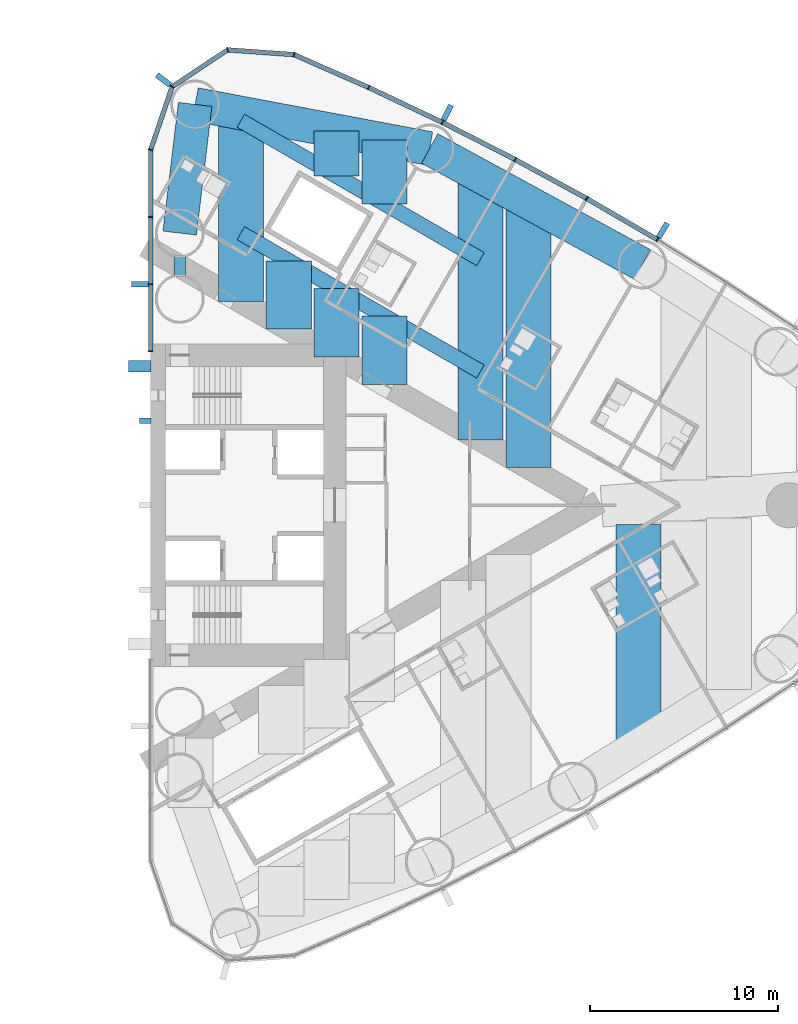
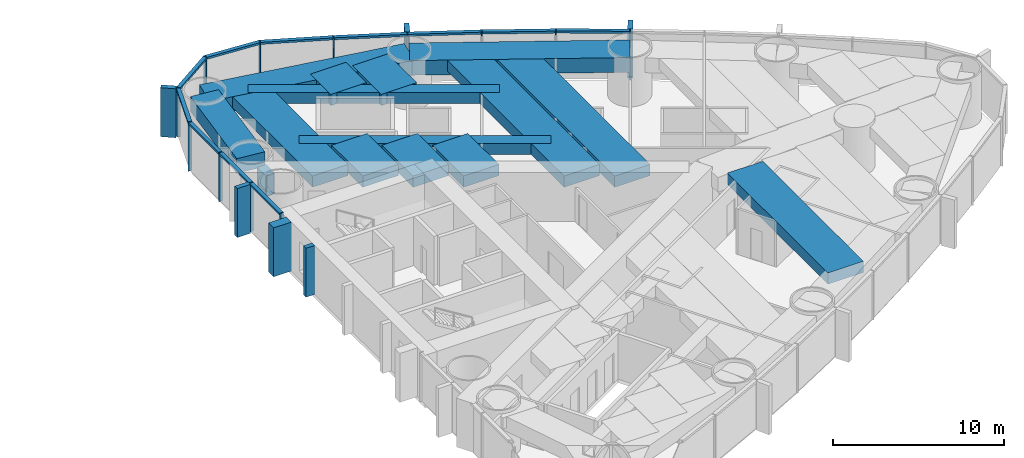
# One storey, part 7 of 19: 29 members, 15 beams, 1 element without a shape of its own.
"""IFC4 building model written with IfcOpenShell, lengths in metres."""

from ifc_helpers import new_model, si_unit, direction, frame, origin, origin_2d, place, context, subcontext, project, spatial, rectangle, hollow_rectangle, extrude, material, material_profile, profile_set, type_object, element, aggregate, save


model = new_model("IFC4")

# Units and contexts
model_context = context("Model", 3, precision=1e-05, world=origin(), true_north=direction((0.0, 1.0)))
body_context = subcontext(model_context, "Body", "Model", "MODEL_VIEW")
ifc_project = project(units=[si_unit("LENGTHUNIT", "METRE"), si_unit("AREAUNIT", "SQUARE_METRE"), si_unit("VOLUMEUNIT", "CUBIC_METRE"), si_unit("PLANEANGLEUNIT", "RADIAN"), si_unit("MASSUNIT", "GRAM", prefix="KILO")], contexts=[model_context])

# Site, building, storey
site_placement = place(None, origin())
site = spatial("IfcSite", under=ifc_project, at=site_placement, CompositionType="ELEMENT")
building_placement = place(site_placement, origin())
building = spatial("IfcBuilding", under=site, at=building_placement, Name="Lancet Gate Hotel", CompositionType="ELEMENT")
storey_placement = place(building_placement, frame((0.0, 0.0, 111.60009765625)))
storey = spatial("IfcBuildingStorey", under=building, at=storey_placement, Name="L29", CompositionType="ELEMENT", Elevation=111.60009765625)

# Curtain wall, members
ifc_material_1 = material(Name="Aluminium curtain wall", Category="aluminium")
curtain_wall_type = type_object("IfcCurtainWallType", Name="Tower unitised curtain wall", PredefinedType="USERDEFINED", material=ifc_material_1)
curtain_wall_placement = place(storey_placement, origin())
curtain_wall = element("IfcCurtainWall", 1, at=curtain_wall_placement, inside=storey, type_object=curtain_wall_type, Name="T2 L29 curtain wall 1", ObjectType="UNITISED CURTAIN WALL", PredefinedType="USERDEFINED")
ifc_material_2 = material(Name="Aluminium mullion", Category="aluminium")
ifc_material_profile_1 = material_profile(ifc_material_2, rectangle(XDim=0.06494140625, YDim=0.25, at=origin_2d()), Name="MULLION 65x250")
ifc_profile_set_1 = profile_set([ifc_material_profile_1], Name="Aluminium mullion")
member_type_1 = type_object("IfcMemberType", Name="Aluminium mullion 65x250", PredefinedType="MULLION", material=ifc_profile_set_1)
member_1_placement = place(storey_placement, frame((54.496337890625, 14.1552734375, 0.0), z_axis=(0.0, 0.0, 1.0), x_axis=(-0.856728030701, 0.515768437781, 0.0)))
member_1 = element("IfcMember", 2, at=member_1_placement, type_object=member_type_1, Name="T2 L29 curtain wall 1 mullion 23", PredefinedType="MULLION", context=body_context, shape_type="SweptSolid", body=[
    extrude(rectangle(XDim=0.06494140625, YDim=0.25, at=origin_2d()), origin(), (0.0, 0.0, 1.0), 3.5),
])
member_2_placement = place(storey_placement, frame((50.740478515625, 16.344482421875, 0.0), z_axis=(0.0, 0.0, 1.0), x_axis=(-0.871028838445, 0.491231882716, 0.0)))
member_2 = element("IfcMember", 3, at=member_2_placement, type_object=member_type_1, Name="T2 L29 curtain wall 1 mullion 24", PredefinedType="MULLION", context=body_context, shape_type="SweptSolid", body=[
    extrude(rectangle(XDim=0.06494140625, YDim=0.25, at=origin_2d()), origin(), (0.0, 0.0, 1.0), 3.5),
])
member_3_placement = place(storey_placement, frame((46.923828125, 18.426025390625, 0.0), z_axis=(0.0, 0.0, 1.0), x_axis=(-0.884627112962, 0.466299121822, 0.0)))
member_3 = element("IfcMember", 4, at=member_3_placement, type_object=member_type_1, Name="T2 L29 curtain wall 1 mullion 25", PredefinedType="MULLION", context=body_context, shape_type="SweptSolid", body=[
    extrude(rectangle(XDim=0.06494140625, YDim=0.25, at=origin_2d()), origin(), (0.0, 0.0, 1.0), 3.5),
])
member_4_placement = place(storey_placement, frame((43.0498046875, 20.398193359375, 0.0), z_axis=(0.0, 0.0, 1.0), x_axis=(-0.897511886496, 0.440990264743, 0.0)))
member_4 = element("IfcMember", 5, at=member_4_placement, type_object=member_type_1, Name="T2 L29 curtain wall 1 mullion 26", PredefinedType="MULLION", context=body_context, shape_type="SweptSolid", body=[
    extrude(rectangle(XDim=0.06494140625, YDim=0.25, at=origin_2d()), origin(), (0.0, 0.0, 1.0), 3.5),
])
member_5_placement = place(storey_placement, frame((39.12109375, 22.259765625, 0.0), z_axis=(0.0, 0.0, 1.0), x_axis=(-0.909672766767, 0.415325724465, 0.0)))
member_5 = element("IfcMember", 6, at=member_5_placement, type_object=member_type_1, Name="T2 L29 curtain wall 1 mullion 27", PredefinedType="MULLION", context=body_context, shape_type="SweptSolid", body=[
    extrude(rectangle(XDim=0.06494140625, YDim=0.25, at=origin_2d()), origin(), (0.0, 0.0, 1.0), 3.5),
])
member_6_placement = place(storey_placement, frame((35.141357421875, 24.009033203125, 0.0), z_axis=(0.0, 0.0, 1.0), x_axis=(-0.966317378791, 0.257353304711, 0.0)))
member_6 = element("IfcMember", 7, at=member_6_placement, type_object=member_type_1, Name="T2 L29 curtain wall 1 mullion 28", PredefinedType="MULLION", context=body_context, shape_type="SweptSolid", body=[
    extrude(rectangle(XDim=0.06494140625, YDim=0.25, at=origin_2d()), origin(), (0.0, 0.0, 1.0), 3.5),
])
member_7_placement = place(storey_placement, frame((31.60205078125, 24.26220703125, 0.0), z_axis=(0.0, 0.0, 1.0), x_axis=(-0.967157174963, -0.254179068604, 0.0)))
member_7 = element("IfcMember", 8, at=member_7_placement, type_object=member_type_1, Name="T2 L29 curtain wall 1 mullion 29", PredefinedType="MULLION", context=body_context, shape_type="SweptSolid", body=[
    extrude(rectangle(XDim=0.06494140625, YDim=0.25, at=origin_2d()), origin(), (0.0, 0.0, 1.0), 3.5),
])
member_8_placement = place(storey_placement, frame((28.64453125, 22.301513671875, 0.0), z_axis=(0.0, 0.0, 1.0), x_axis=(-0.610663954798, -0.79188984986, 0.0)))
member_8 = element("IfcMember", 9, at=member_8_placement, type_object=member_type_1, Name="T2 L29 curtain wall 1 mullion 30", PredefinedType="MULLION", context=body_context, shape_type="SweptSolid", body=[
    extrude(rectangle(XDim=0.06494140625, YDim=0.25, at=origin_2d()), origin(), (0.0, 0.0, 1.0), 3.5),
])
member_9_placement = place(storey_placement, frame((27.5, 18.94287109375, 0.0), z_axis=(0.0, 0.0, 1.0), x_axis=(-0.162738742557, -0.986669195663, 0.0)))
member_9 = element("IfcMember", 10, at=member_9_placement, type_object=member_type_1, Name="T2 L29 curtain wall 1 mullion 31", PredefinedType="MULLION", context=body_context, shape_type="SweptSolid", body=[
    extrude(rectangle(XDim=0.06494140625, YDim=0.25, at=origin_2d()), origin(), (0.0, 0.0, 1.0), 3.5),
])
member_10_placement = place(storey_placement, frame((27.5, 15.362060546875, 0.0), z_axis=(0.0, 0.0, 1.0), x_axis=(0.0, -1.0, 0.0)))
member_10 = element("IfcMember", 11, at=member_10_placement, type_object=member_type_1, Name="T2 L29 curtain wall 1 mullion 32", PredefinedType="MULLION", context=body_context, shape_type="SweptSolid", body=[
    extrude(rectangle(XDim=0.06494140625, YDim=0.25, at=origin_2d()), origin(), (0.0, 0.0, 1.0), 3.5),
])
member_11_placement = place(storey_placement, frame((27.5, 11.781005859375, 0.0), z_axis=(0.0, 0.0, 1.0), x_axis=(0.0, -1.0, 0.0)))
member_11 = element("IfcMember", 12, at=member_11_placement, type_object=member_type_1, Name="T2 L29 curtain wall 1 mullion 33", PredefinedType="MULLION", context=body_context, shape_type="SweptSolid", body=[
    extrude(rectangle(XDim=0.06494140625, YDim=0.25, at=origin_2d()), origin(), (0.0, 0.0, 1.0), 3.5),
])
member_12_placement = place(storey_placement, frame((27.5, 8.199951171875, 0.0), z_axis=(0.0, 0.0, 1.0), x_axis=(0.0, -1.0, 0.0)))
member_12 = element("IfcMember", 13, at=member_12_placement, type_object=member_type_1, Name="T2 L29 curtain wall 1 mullion 34", PredefinedType="MULLION", context=body_context, shape_type="SweptSolid", body=[
    extrude(rectangle(XDim=0.06494140625, YDim=0.25, at=origin_2d()), origin(), (0.0, 0.0, 1.0), 3.5),
])
ifc_material_3 = material(Name="Aluminium transom", Category="aluminium")
ifc_material_profile_2 = material_profile(ifc_material_3, rectangle(XDim=0.25, YDim=0.14990234375, at=origin_2d()), Name="TRANSOM 250x150")
ifc_profile_set_2 = profile_set([ifc_material_profile_2], Name="Aluminium transom")
member_type_2 = type_object("IfcMemberType", Name="Aluminium transom 250x150", PredefinedType="USERDEFINED", material=ifc_profile_set_2)
member_13_placement = place(storey_placement, frame((54.46826171875, 14.171630859375, 3.4248046875), z_axis=(-0.863973212152, 0.503537772847, 0.0), x_axis=(-0.503537772847, -0.863973212152, 0.0)))
member_13 = element("IfcMember", 14, at=member_13_placement, type_object=member_type_2, Name="T2 L29 curtain wall 1 transom 23", ObjectType="TRANSOM", PredefinedType="USERDEFINED", context=body_context, shape_type="SweptSolid", body=[
    extrude(rectangle(XDim=0.25, YDim=0.14990234375, at=origin_2d()), origin(), (0.0, 0.0, 1.0), 4.2822265625),
])
member_14_placement = place(storey_placement, frame((50.7119140625, 16.35986328125, 3.4248046875), z_axis=(-0.877906466435, 0.478832158685, 0.0), x_axis=(-0.478832158685, -0.877906466435, 0.0)))
member_14 = element("IfcMember", 15, at=member_14_placement, type_object=member_type_2, Name="T2 L29 curtain wall 1 transom 24", ObjectType="TRANSOM", PredefinedType="USERDEFINED", context=body_context, shape_type="SweptSolid", body=[
    extrude(rectangle(XDim=0.25, YDim=0.14990234375, at=origin_2d()), origin(), (0.0, 0.0, 1.0), 4.282470703125),
])
member_15_placement = place(storey_placement, frame((46.89501953125, 18.440673828125, 3.4248046875), z_axis=(-0.891165630033, 0.453678101574, 0.0), x_axis=(-0.453678101574, -0.891165630033, 0.0)))
member_15 = element("IfcMember", 16, at=member_15_placement, type_object=member_type_2, Name="T2 L29 curtain wall 1 transom 25", ObjectType="TRANSOM", PredefinedType="USERDEFINED", context=body_context, shape_type="SweptSolid", body=[
    extrude(rectangle(XDim=0.25, YDim=0.14990234375, at=origin_2d()), origin(), (0.0, 0.0, 1.0), 4.282470703125),
])
member_16_placement = place(storey_placement, frame((43.0205078125, 20.412109375, 3.4248046875), z_axis=(-0.903679787814, 0.428208875546, 0.0), x_axis=(-0.428208875546, -0.903679787814, 0.0)))
member_16 = element("IfcMember", 17, at=member_16_placement, type_object=member_type_2, Name="T2 L29 curtain wall 1 transom 26", ObjectType="TRANSOM", PredefinedType="USERDEFINED", context=body_context, shape_type="SweptSolid", body=[
    extrude(rectangle(XDim=0.25, YDim=0.14990234375, at=origin_2d()), origin(), (0.0, 0.0, 1.0), 4.282470703125),
])
member_17_placement = place(storey_placement, frame((39.09130859375, 22.27294921875, 3.4248046875), z_axis=(-0.915484772266, 0.402352621155, 0.0), x_axis=(-0.402352621155, -0.915484772266, 0.0)))
member_17 = element("IfcMember", 18, at=member_17_placement, type_object=member_type_2, Name="T2 L29 curtain wall 1 transom 27", ObjectType="TRANSOM", PredefinedType="USERDEFINED", context=body_context, shape_type="SweptSolid", body=[
    extrude(rectangle(XDim=0.25, YDim=0.14990234375, at=origin_2d()), origin(), (0.0, 0.0, 1.0), 4.281982421875),
])
member_18_placement = place(storey_placement, frame((35.10888671875, 24.01123046875, 3.4248046875), z_axis=(-0.997446232115, 0.071421383636, 0.0), x_axis=(-0.071421383636, -0.997446232115, 0.0)))
member_18 = element("IfcMember", 19, at=member_18_placement, type_object=member_type_2, Name="T2 L29 curtain wall 1 transom 28", ObjectType="TRANSOM", PredefinedType="USERDEFINED", context=body_context, shape_type="SweptSolid", body=[
    extrude(rectangle(XDim=0.25, YDim=0.14990234375, at=origin_2d()), origin(), (0.0, 0.0, 1.0), 3.483154296875),
])
member_19_placement = place(storey_placement, frame((31.574951171875, 24.244384765625, 3.4248046875), z_axis=(-0.833470854141, -0.552563421968, 0.0), x_axis=(0.552563421968, -0.833470854141, 0.0)))
member_19 = element("IfcMember", 20, at=member_19_placement, type_object=member_type_2, Name="T2 L29 curtain wall 1 transom 29", ObjectType="TRANSOM", PredefinedType="USERDEFINED", context=body_context, shape_type="SweptSolid", body=[
    extrude(rectangle(XDim=0.25, YDim=0.14990234375, at=origin_2d()), origin(), (0.0, 0.0, 1.0), 3.4833984375),
])
member_20_placement = place(storey_placement, frame((28.634033203125, 22.270751953125, 3.4248046875), z_axis=(-0.322549769135, -0.946552505903, 0.0), x_axis=(0.946552505903, -0.322549769135, 0.0)))
member_20 = element("IfcMember", 21, at=member_20_placement, type_object=member_type_2, Name="T2 L29 curtain wall 1 transom 30", ObjectType="TRANSOM", PredefinedType="USERDEFINED", context=body_context, shape_type="SweptSolid", body=[
    extrude(rectangle(XDim=0.25, YDim=0.14990234375, at=origin_2d()), origin(), (0.0, 0.0, 1.0), 3.4833984375),
])
member_21_placement = place(storey_placement, frame((27.5, 18.910400390625, 3.4248046875), z_axis=(0.0, -1.0, 0.0), x_axis=(1.0, 0.0, 0.0)))
member_21 = element("IfcMember", 22, at=member_21_placement, type_object=member_type_2, Name="T2 L29 curtain wall 1 transom 31", ObjectType="TRANSOM", PredefinedType="USERDEFINED", context=body_context, shape_type="SweptSolid", body=[
    extrude(rectangle(XDim=0.25, YDim=0.14990234375, at=origin_2d()), origin(), (0.0, 0.0, 1.0), 3.515869140625),
])
member_22_placement = place(storey_placement, frame((27.5, 15.329345703125, 3.4248046875), z_axis=(0.0, -1.0, 0.0), x_axis=(1.0, 0.0, 0.0)))
member_22 = element("IfcMember", 23, at=member_22_placement, type_object=member_type_2, Name="T2 L29 curtain wall 1 transom 32", ObjectType="TRANSOM", PredefinedType="USERDEFINED", context=body_context, shape_type="SweptSolid", body=[
    extrude(rectangle(XDim=0.25, YDim=0.14990234375, at=origin_2d()), origin(), (0.0, 0.0, 1.0), 3.515869140625),
])
member_23_placement = place(storey_placement, frame((27.5, 11.74853515625, 3.4248046875), z_axis=(0.0, -1.0, 0.0), x_axis=(1.0, 0.0, 0.0)))
member_23 = element("IfcMember", 24, at=member_23_placement, type_object=member_type_2, Name="T2 L29 curtain wall 1 transom 33", ObjectType="TRANSOM", PredefinedType="USERDEFINED", context=body_context, shape_type="SweptSolid", body=[
    extrude(rectangle(XDim=0.25, YDim=0.14990234375, at=origin_2d()), origin(), (0.0, 0.0, 1.0), 3.51611328125),
])

# Beams
ifc_material_4 = material(Name="Concrete C50/60", Category="concrete")
ifc_material_profile_3 = material_profile(ifc_material_4, rectangle(XDim=1.800048828125, YDim=1.050048828125, at=origin_2d()), Name="RC 1800x1050")
ifc_profile_set_3 = profile_set([ifc_material_profile_3], Name="Concrete C50/60")
beam_type_1 = type_object("IfcBeamType", Name="Edge beam RC 1800x1050", PredefinedType="SPANDREL", material=ifc_profile_set_3)
beam_1_placement = place(storey_placement, frame((53.697021484375, 12.827392578125, 2.724853515625), z_axis=(-0.87792015078, 0.478807068509, 0.0), x_axis=(-0.478807068509, -0.87792015078, 0.0)))
element("IfcBeam", 25, at=beam_1_placement, inside=storey, type_object=beam_type_1, Name="T2 edge beam EB1 L29", PredefinedType="SPANDREL", context=body_context, shape_type="SweptSolid", body=[
    extrude(rectangle(XDim=1.800048828125, YDim=1.050048828125, at=origin_2d()), origin(), (0.0, 0.0, 1.0), 12.906494140625),
])
beam_2_placement = place(storey_placement, frame((42.3662109375, 19.007080078125, 2.724853515625), z_axis=(-0.982797318081, 0.184687388776, 0.0), x_axis=(-0.184687388776, -0.982797318081, 0.0)))
element("IfcBeam", 26, at=beam_2_placement, inside=storey, type_object=beam_type_1, Name="T2 edge beam EB1 L29", PredefinedType="SPANDREL", context=body_context, shape_type="SweptSolid", body=[
    extrude(rectangle(XDim=1.800048828125, YDim=1.050048828125, at=origin_2d()), origin(), (0.0, 0.0, 1.0), 12.712890625),
])
beam_3_placement = place(storey_placement, frame((29.050048828125, 14.5, 2.724853515625), z_axis=(0.119062951196, 0.99288670736, 0.0), x_axis=(-0.99288670736, 0.119062951196, 0.0)))
element("IfcBeam", 27, at=beam_3_placement, inside=storey, type_object=beam_type_1, Name="T2 edge beam EB1 L29", PredefinedType="SPANDREL", context=body_context, shape_type="SweptSolid", body=[
    extrude(rectangle(XDim=1.800048828125, YDim=1.050048828125, at=origin_2d()), origin(), (0.0, 0.0, 1.0), 6.904052734375),
])

# Member
ifc_material_5 = material(Name="Concrete C60/75", Category="concrete")
ifc_material_profile_4 = material_profile(ifc_material_5, rectangle(XDim=0.60009765625, YDim=1.199951171875, at=origin_2d()), Name="FIN 600x1200")
ifc_profile_set_4 = profile_set([ifc_material_profile_4], Name="Concrete C60/75")
member_type_3 = type_object("IfcMemberType", Name="Exposed concrete buttress pilaster 600x1200", PredefinedType="USERDEFINED", material=ifc_profile_set_4)
member_24_placement = place(storey_placement, frame((26.909912109375, 7.39990234375, 0.0), z_axis=(0.0, 0.0, 1.0), x_axis=(0.0, 1.0, 0.0)))
element("IfcMember", 28, at=member_24_placement, inside=storey, type_object=member_type_3, Name="T2 buttress pilaster N L29", ObjectType="FIN", PredefinedType="USERDEFINED", context=body_context, shape_type="SweptSolid", body=[
    extrude(rectangle(XDim=0.60009765625, YDim=1.199951171875, at=origin_2d()), origin(), (0.0, 0.0, 1.0), 3.5),
])

ifc_material_6 = material(Name="Precast concrete C50/60", Category="concrete")
ifc_material_profile_5 = material_profile(ifc_material_6, rectangle(XDim=0.300048828125, YDim=0.89990234375, at=origin_2d()), Name="FIN 300x900")
ifc_profile_set_5 = profile_set([ifc_material_profile_5], Name="Precast concrete C50/60")
member_type_4 = type_object("IfcMemberType", Name="Exposed concrete fin 300x900", PredefinedType="USERDEFINED", material=ifc_profile_set_5)
member_25_placement = place(storey_placement, frame((54.79296875, 14.64794921875, 0.0), z_axis=(0.0, 0.0, 1.0), x_axis=(-0.856728030701, 0.515768437781, 0.0)))
member_25 = element("IfcMember", 29, at=member_25_placement, type_object=member_type_4, Name="T2 L29 curtain wall 1 fin 23", ObjectType="FIN", PredefinedType="USERDEFINED", context=body_context, shape_type="SweptSolid", body=[
    extrude(rectangle(XDim=0.300048828125, YDim=0.89990234375, at=origin_2d()), origin(), (0.0, 0.0, 1.0), 3.5),
])

member_26_placement = place(storey_placement, frame((43.30322265625, 20.914306640625, 0.0), z_axis=(0.0, 0.0, 1.0), x_axis=(-0.897511886496, 0.440990264743, 0.0)))
member_26 = element("IfcMember", 30, at=member_26_placement, type_object=member_type_4, Name="T2 L29 curtain wall 1 fin 26", ObjectType="FIN", PredefinedType="USERDEFINED", context=body_context, shape_type="SweptSolid", body=[
    extrude(rectangle(XDim=0.300048828125, YDim=0.89990234375, at=origin_2d()), origin(), (0.0, 0.0, 1.0), 3.5),
])

member_27_placement = place(storey_placement, frame((28.189208984375, 22.65283203125, 0.0), z_axis=(0.0, 0.0, 1.0), x_axis=(-0.610663954798, -0.79188984986, 0.0)))
member_27 = element("IfcMember", 31, at=member_27_placement, type_object=member_type_4, Name="T2 L29 curtain wall 1 fin 30", ObjectType="FIN", PredefinedType="USERDEFINED", context=body_context, shape_type="SweptSolid", body=[
    extrude(rectangle(XDim=0.300048828125, YDim=0.89990234375, at=origin_2d()), origin(), (0.0, 0.0, 1.0), 3.5),
])

member_28_placement = place(storey_placement, frame((26.925048828125, 11.781005859375, 0.0), z_axis=(0.0, 0.0, 1.0), x_axis=(0.0, -1.0, 0.0)))
member_28 = element("IfcMember", 32, at=member_28_placement, type_object=member_type_4, Name="T2 L29 curtain wall 1 fin 33", ObjectType="FIN", PredefinedType="USERDEFINED", context=body_context, shape_type="SweptSolid", body=[
    extrude(rectangle(XDim=0.300048828125, YDim=0.89990234375, at=origin_2d()), origin(), (0.0, 0.0, 1.0), 3.5),
])

aggregate(curtain_wall, [member_1, member_25, member_2, member_3, member_4, member_26, member_5, member_6, member_7, member_8, member_27, member_9, member_10, member_11, member_28, member_12, member_13, member_14, member_15, member_16, member_17, member_18, member_19, member_20, member_21, member_22, member_23])

ifc_material_7 = material(Name="Concrete C60/75", Category="concrete")
ifc_material_profile_6 = material_profile(ifc_material_7, rectangle(XDim=0.300048828125, YDim=0.60009765625, at=origin_2d()), Name="FIN 300x600")
ifc_profile_set_6 = profile_set([ifc_material_profile_6], Name="Concrete C60/75")
member_type_5 = type_object("IfcMemberType", Name="Exposed concrete rib 300x600", PredefinedType="USERDEFINED", material=ifc_profile_set_6)
member_29_placement = place(storey_placement, frame((27.2099609375, 4.5, 0.0), z_axis=(0.0, 0.0, 1.0), x_axis=(0.0, 1.0, 0.0)))
element("IfcMember", 33, at=member_29_placement, inside=storey, type_object=member_type_5, Name="T2 core rib 3 L29", ObjectType="FIN", PredefinedType="USERDEFINED", context=body_context, shape_type="SweptSolid", body=[
    extrude(rectangle(XDim=0.300048828125, YDim=0.60009765625, at=origin_2d()), origin(), (0.0, 0.0, 1.0), 3.5),
])

# Beams
ifc_material_8 = material(Name="Concrete C50/60", Category="concrete")
ifc_material_profile_7 = material_profile(ifc_material_8, rectangle(XDim=2.39990234375, YDim=0.800048828125, at=origin_2d()), Name="RC 2400x800")
ifc_profile_set_7 = profile_set([ifc_material_profile_7], Name="Concrete C50/60")
beam_type_2 = type_object("IfcBeamType", Name="Floor beam RC 2400x800", PredefinedType="BEAM", material=ifc_profile_set_7)
beam_4_placement = place(storey_placement, frame((32.306396484375, 10.851806640625, 2.849853515625), z_axis=(0.0, 1.0, 0.0), x_axis=(-1.0, 0.0, 0.0)))
element("IfcBeam", 34, at=beam_4_placement, inside=storey, type_object=beam_type_2, Name="T2 floor beam F02N L29", PredefinedType="BEAM", context=body_context, shape_type="SweptSolid", body=[
    extrude(rectangle(XDim=2.39990234375, YDim=0.800048828125, at=origin_2d()), origin(), (0.0, 0.0, 1.0), 10.0458984375),
])
beam_5_placement = place(storey_placement, frame((45.072265625, 3.4814453125, 2.849853515625), z_axis=(0.0, 1.0, 0.0), x_axis=(-1.0, 0.0, 0.0)))
element("IfcBeam", 35, at=beam_5_placement, inside=storey, type_object=beam_type_2, Name="T2 floor beam F10N L29", PredefinedType="BEAM", context=body_context, shape_type="SweptSolid", body=[
    extrude(rectangle(XDim=2.39990234375, YDim=0.800048828125, at=origin_2d()), origin(), (0.0, 0.0, 1.0), 14.0498046875),
])
beam_6_placement = place(storey_placement, frame((47.62548828125, 2.00732421875, 2.849853515625), z_axis=(0.0, 1.0, 0.0), x_axis=(-1.0, 0.0, 0.0)))
element("IfcBeam", 36, at=beam_6_placement, inside=storey, type_object=beam_type_2, Name="T2 floor beam F12N L29", PredefinedType="BEAM", context=body_context, shape_type="SweptSolid", body=[
    extrude(rectangle(XDim=2.39990234375, YDim=0.800048828125, at=origin_2d()), origin(), (0.0, 0.0, 1.0), 14.13134765625),
])
beam_7_placement = place(storey_placement, frame((53.502197265625, -12.804443359375, 2.849853515625), z_axis=(0.0, 1.0, 0.0), x_axis=(-1.0, 0.0, 0.0)))
element("IfcBeam", 37, at=beam_7_placement, inside=storey, type_object=beam_type_2, Name="T2 floor beam F13S L29", PredefinedType="BEAM", context=body_context, shape_type="SweptSolid", body=[
    extrude(rectangle(XDim=2.39990234375, YDim=0.800048828125, at=origin_2d()), origin(), (0.0, 0.0, 1.0), 11.78564453125),
])
beam_8_placement = place(storey_placement, frame((34.859619140625, 9.377685546875, 2.849853515625), z_axis=(0.0, 1.0, 0.0), x_axis=(-1.0, 0.0, 0.0)))
element("IfcBeam", 38, at=beam_8_placement, inside=storey, type_object=beam_type_2, Name="T2 floor beam F04NA L29", PredefinedType="BEAM", context=body_context, shape_type="SweptSolid", body=[
    extrude(rectangle(XDim=2.39990234375, YDim=0.800048828125, at=origin_2d()), origin(), (0.0, 0.0, 1.0), 3.645751953125),
])
beam_9_placement = place(storey_placement, frame((37.412841796875, 7.903564453125, 2.849853515625), z_axis=(0.0, 1.0, 0.0), x_axis=(-1.0, 0.0, 0.0)))
element("IfcBeam", 39, at=beam_9_placement, inside=storey, type_object=beam_type_2, Name="T2 floor beam F06NA L29", PredefinedType="BEAM", context=body_context, shape_type="SweptSolid", body=[
    extrude(rectangle(XDim=2.39990234375, YDim=0.800048828125, at=origin_2d()), origin(), (0.0, 0.0, 1.0), 3.6455078125),
])
beam_10_placement = place(storey_placement, frame((37.412841796875, 17.537109375, 2.849853515625), z_axis=(0.0, 1.0, 0.0), x_axis=(-1.0, 0.0, 0.0)))
element("IfcBeam", 40, at=beam_10_placement, inside=storey, type_object=beam_type_2, Name="T2 floor beam F06NB L29", PredefinedType="BEAM", context=body_context, shape_type="SweptSolid", body=[
    extrude(rectangle(XDim=2.39990234375, YDim=0.800048828125, at=origin_2d()), origin(), (0.0, 0.0, 1.0), 2.40087890625),
])
beam_11_placement = place(storey_placement, frame((39.9658203125, 6.429443359375, 2.849853515625), z_axis=(0.0, 1.0, 0.0), x_axis=(-1.0, 0.0, 0.0)))
element("IfcBeam", 41, at=beam_11_placement, inside=storey, type_object=beam_type_2, Name="T2 floor beam F08NA L29", PredefinedType="BEAM", context=body_context, shape_type="SweptSolid", body=[
    extrude(rectangle(XDim=2.39990234375, YDim=0.800048828125, at=origin_2d()), origin(), (0.0, 0.0, 1.0), 3.64501953125),
])
beam_12_placement = place(storey_placement, frame((39.9658203125, 16.062744140625, 2.849853515625), z_axis=(0.0, 1.0, 0.0), x_axis=(-1.0, 0.0, 0.0)))
element("IfcBeam", 42, at=beam_12_placement, inside=storey, type_object=beam_type_2, Name="T2 floor beam F08NB L29", PredefinedType="BEAM", context=body_context, shape_type="SweptSolid", body=[
    extrude(rectangle(XDim=2.39990234375, YDim=0.800048828125, at=origin_2d()), origin(), (0.0, 0.0, 1.0), 3.3955078125),
])
ifc_material_9 = material(Name="Steel S460QL", Category="steel")
ifc_material_profile_8 = material_profile(ifc_material_9, hollow_rectangle(XDim=0.60009765625, YDim=1.5, WallThickness=0.050048828125, at=origin_2d()), Name="BOX 1500x600x50")
ifc_profile_set_8 = profile_set([ifc_material_profile_8], Name="Steel S460QL")
beam_type_3 = type_object("IfcBeamType", Name="Inner-face link beam BOX 1500x600x50", PredefinedType="BEAM", material=ifc_profile_set_8)
beam_13_placement = place(storey_placement, frame((29.050048828125, 12.25, 2.5), z_axis=(0.0, 1.0, 0.0), x_axis=(-1.0, 0.0, 0.0)))
element("IfcBeam", 43, at=beam_13_placement, inside=storey, type_object=beam_type_3, Name="T2 inner-face link beam LK1 L29", PredefinedType="BEAM", context=body_context, shape_type="SweptSolid", body=[
    extrude(hollow_rectangle(XDim=0.60009765625, YDim=1.5, WallThickness=0.050048828125, at=origin_2d()), origin(), (0.0, 0.0, 1.0), 1.0),
])
ifc_material_10 = material(Name="Steel S460QL", Category="steel")
ifc_material_profile_9 = material_profile(ifc_material_10, hollow_rectangle(XDim=0.800048828125, YDim=0.800048828125, WallThickness=0.080078125, at=origin_2d()), Name="BOX 800x800x80")
ifc_profile_set_9 = profile_set([ifc_material_profile_9], Name="Steel S460QL")
beam_type_4 = type_object("IfcBeamType", Name="Trimmer beam BOX 800x800x80", PredefinedType="BEAM", material=ifc_profile_set_9)
beam_14_placement = place(storey_placement, frame((32.306396484375, 20.48583984375, 2.849853515625), z_axis=(0.86598286195, -0.500073677381, 0.0), x_axis=(0.500073677381, 0.86598286195, 0.0)))
element("IfcBeam", 44, at=beam_14_placement, inside=storey, type_object=beam_type_4, Name="T2 trimmer beam TR03N L29", PredefinedType="BEAM", context=body_context, shape_type="SweptSolid", body=[
    extrude(hollow_rectangle(XDim=0.800048828125, YDim=0.800048828125, WallThickness=0.080078125, at=origin_2d()), origin(), (0.0, 0.0, 1.0), 14.741455078125),
])
beam_15_placement = place(storey_placement, frame((32.306396484375, 14.497802734375, 2.849853515625), z_axis=(0.865975689888, -0.500086097111, 0.0), x_axis=(0.500086097111, 0.865975689888, 0.0)))
element("IfcBeam", 45, at=beam_15_placement, inside=storey, type_object=beam_type_4, Name="T2 trimmer beam TR04N L29", PredefinedType="BEAM", context=body_context, shape_type="SweptSolid", body=[
    extrude(hollow_rectangle(XDim=0.800048828125, YDim=0.800048828125, WallThickness=0.080078125, at=origin_2d()), origin(), (0.0, 0.0, 1.0), 14.74169921875),
])

save(model, "model.ifc")
